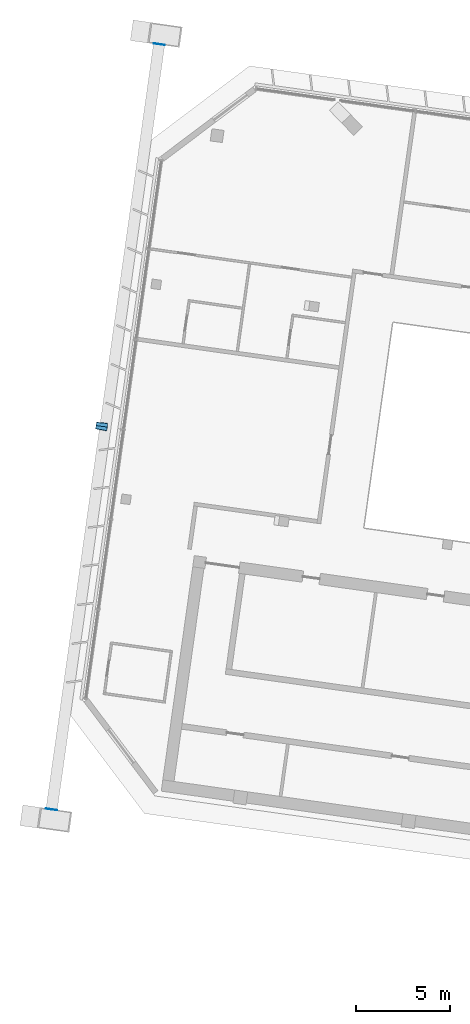
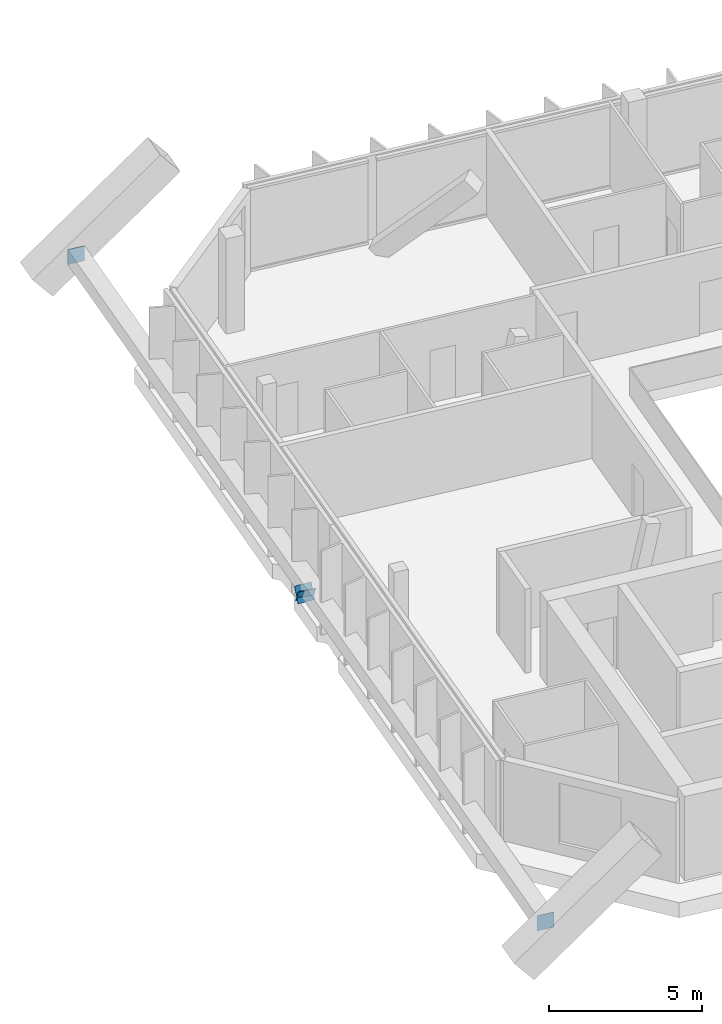
# One storey, part 23 of 26: 4 discrete accessories.
"""IFC4 building model written with IfcOpenShell, lengths in metres."""

from ifc_helpers import new_model, si_unit, direction, frame, origin, origin_2d, place, context, subcontext, project, spatial, rectangle, extrude, material, material_profile, profile_set, type_object, element, save


model = new_model("IFC4")

# Units and contexts
model_context = context("Model", 3, precision=1e-05, world=origin(), true_north=direction((0.0, 1.0)))
body_context = subcontext(model_context, "Body", "Model", "MODEL_VIEW")
ifc_project = project(units=[si_unit("LENGTHUNIT", "METRE"), si_unit("AREAUNIT", "SQUARE_METRE"), si_unit("VOLUMEUNIT", "CUBIC_METRE"), si_unit("PLANEANGLEUNIT", "RADIAN"), si_unit("MASSUNIT", "GRAM", prefix="KILO")], contexts=[model_context])

# Site, building, storey
site_placement = place(None, origin())
site = spatial("IfcSite", under=ifc_project, at=site_placement, CompositionType="ELEMENT")
building_placement = place(site_placement, origin())
building = spatial("IfcBuilding", under=site, at=building_placement, Name="Mirante Cascada Hotel Towers", CompositionType="ELEMENT")
storey_placement = place(building_placement, frame((0.0, 0.0, 228.0)))
storey = spatial("IfcBuildingStorey", under=building, at=storey_placement, Name="L54", CompositionType="ELEMENT", Elevation=228.0)

# Discrete accessories
ifc_material = material(Name="Steel ASTM A572 Gr 50", Category="steel")
ifc_material_profile = material_profile(ifc_material, rectangle(XDim=0.6, YDim=0.6, at=origin_2d()), Name="Connection plate 600x600x25 ASTM A572 Gr 50")
ifc_profile_set = profile_set([ifc_material_profile], Name="Steel ASTM A572 Gr 50")
discrete_accessory_type = type_object("IfcDiscreteAccessoryType", Name="Connection plate 600x600x25 ASTM A572 Gr 50", PredefinedType="BRACKET", material=ifc_profile_set)
for number, where, z_axis, x_axis, name in (
    (1, (-75.574, 4.3433, 0.8279), (0.1640919, 0.8724887, 0.4602578), (-0.98277, 0.1848329, 0.0), "Connection plate MB-OL51L"),
    (2, (-75.557, 4.4643, 0.8279), (-0.0800218, -0.8842405, 0.4601252), (0.9959301, -0.0901294, 0.0), "Connection plate MB-OL51R"),
):
    element("IfcDiscreteAccessory", number, at=place(storey_placement, frame(where, z_axis=z_axis, x_axis=x_axis)), inside=storey, type_object=discrete_accessory_type, Name=name, PredefinedType="BRACKET", context=body_context, shape_type="SweptSolid", body=[
        extrude(rectangle(XDim=0.6, YDim=0.6, at=origin_2d()), origin(), (0.0, 0.0, 1.0), 0.025),
    ])
discrete_accessory_1_placement = place(storey_placement, frame((-78.2205, -15.9068, 1.0), z_axis=(0.1402989, 0.9901092, 0.0), x_axis=(-0.9901092, 0.1402989, 0.0)))
element("IfcDiscreteAccessory", 3, at=discrete_accessory_1_placement, inside=storey, type_object=discrete_accessory_type, Name="Connection plate NCH", PredefinedType="BRACKET", context=body_context, shape_type="SweptSolid", body=[
    extrude(rectangle(XDim=0.6, YDim=0.6, at=origin_2d()), origin(), (0.0, 0.0, 1.0), 0.0249),
])
discrete_accessory_2_placement = place(storey_placement, frame((-72.5228, 24.6347, 1.0), z_axis=(0.1397442, 0.9901876, 0.0), x_axis=(-0.9901876, 0.1397442, 0.0)))
element("IfcDiscreteAccessory", 4, at=discrete_accessory_2_placement, inside=storey, type_object=discrete_accessory_type, Name="Connection plate NCH", PredefinedType="BRACKET", context=body_context, shape_type="SweptSolid", body=[
    extrude(rectangle(XDim=0.6, YDim=0.6, at=origin_2d()), origin(), (0.0, 0.0, 1.0), 0.025),
])

save(model, "model.ifc")
